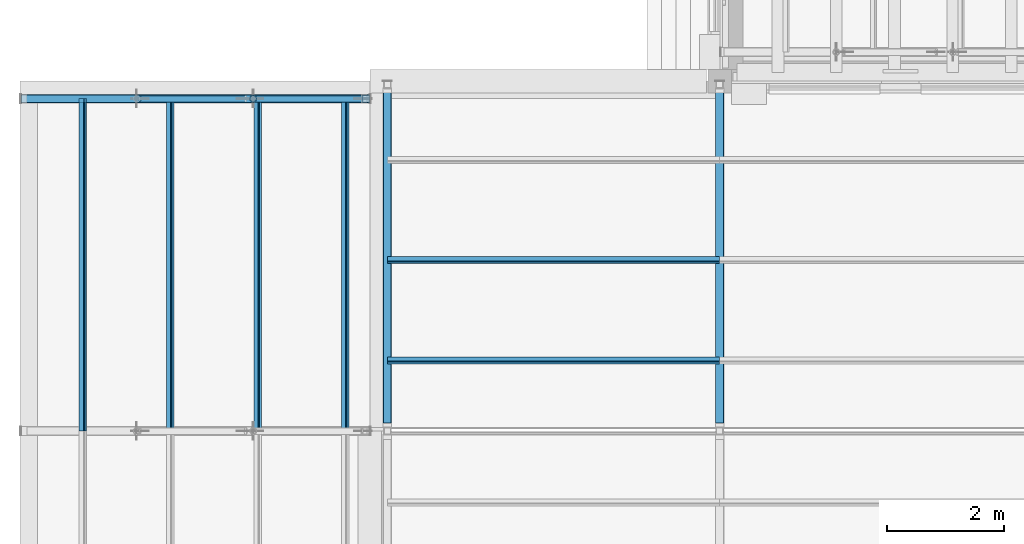
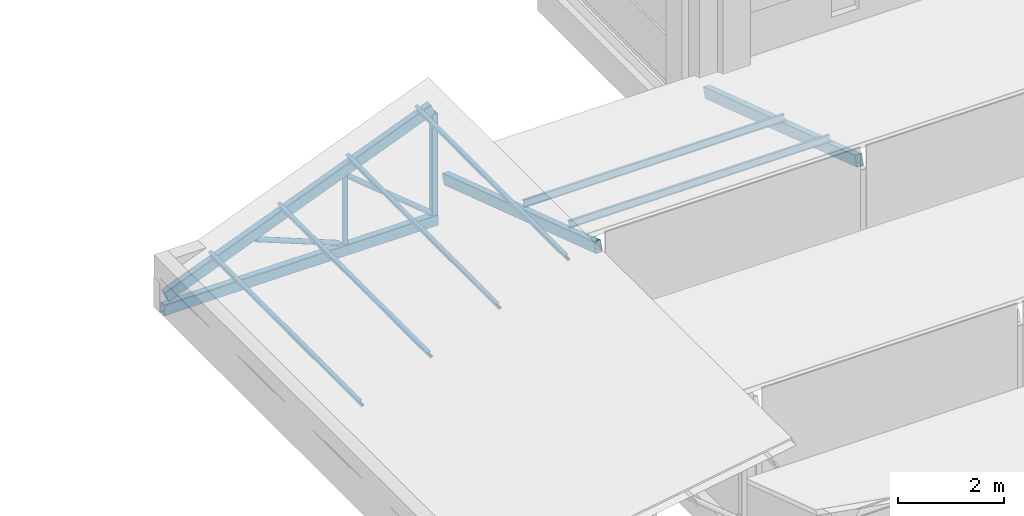
# One storey, part 12 of 118: 14 members.
"""IFC4 building model written with IfcOpenShell, lengths in metres."""

from ifc_helpers import new_model, si_unit, direction, frame, origin, origin_2d, place, context, subcontext, project, spatial, hollow_rectangle, hollow_circle, i_section, extrude, material, material_profile, profile_set, type_object, element, save


model = new_model("IFC4")

# Units and contexts
model_context = context("Model", 3, precision=1e-05, world=origin(), true_north=direction((0.0, 1.0)))
body_context = subcontext(model_context, "Body", "Model", "MODEL_VIEW")
ifc_project = project(units=[si_unit("LENGTHUNIT", "METRE"), si_unit("AREAUNIT", "SQUARE_METRE"), si_unit("VOLUMEUNIT", "CUBIC_METRE"), si_unit("PLANEANGLEUNIT", "RADIAN"), si_unit("MASSUNIT", "GRAM", prefix="KILO")], contexts=[model_context])

# Site, building, storey
site_placement = place(None, origin())
site = spatial("IfcSite", under=ifc_project, at=site_placement, CompositionType="ELEMENT")
building_placement = place(site_placement, origin())
building = spatial("IfcBuilding", under=site, at=building_placement, Name="Saffron Lane Theatres", CompositionType="ELEMENT")
storey_placement = place(building_placement, frame((0.0, 0.0, 16.5)))
storey = spatial("IfcBuildingStorey", under=building, at=storey_placement, Name="L03", CompositionType="ELEMENT", Elevation=16.5)

# Members
ifc_material_1 = material(Name="Steel Grade 350", Category="steel")
ifc_material_profile_1 = material_profile(ifc_material_1, hollow_rectangle(XDim=0.125, YDim=0.125, WallThickness=0.006103515625, InnerFilletRadius=0.0029296875, OuterFilletRadius=0.009033203125, at=origin_2d()))
ifc_profile_set_1 = profile_set([ifc_material_profile_1], Name="Steel Grade 350")
member_type_1 = type_object("IfcMemberType", Name="ST-STUDIO POST 125x125x6 SHS", PredefinedType="POST", material=ifc_profile_set_1)
member_1_placement = place(storey_placement, frame((5.9375, 29.699951171875, 0.25), z_axis=(0.0, 0.0, 1.0), x_axis=(1.0, 0.0, 0.0)))
element("IfcMember", 1, at=member_1_placement, inside=storey, type_object=member_type_1, Name="GWP38", PredefinedType="POST", context=body_context, shape_type="SweptSolid", body=[
    extrude(hollow_rectangle(XDim=0.125, YDim=0.125, WallThickness=0.006103515625, InnerFilletRadius=0.0029296875, OuterFilletRadius=0.009033203125, at=origin_2d()), origin(), (0.0, 0.0, 1.0), 2.33544921875),
])
ifc_material_2 = material(Name="Steel Grade 350", Category="steel")
ifc_material_profile_2 = material_profile(ifc_material_2, i_section(OverallWidth=0.074951171875, OverallDepth=0.155029296875, WebThickness=0.006103515625, FlangeThickness=0.009521484375, FilletRadius=0.008056640625, at=origin_2d()))
ifc_profile_set_2 = profile_set([ifc_material_profile_2], Name="Steel Grade 350")
member_type_2 = type_object("IfcMemberType", Name="ST-STUDIO PURLIN 150UB18.0", PredefinedType="PURLIN", material=ifc_profile_set_2)
for number, where, z_axis, x_axis, name in (
    (2, (6.300048828125, 25.2099609375, 2.60498046875), (1.0, 0.0, 0.0), (0.0, 0.949628648787, -0.313377455162), "GSU52"),
    (3, (6.300048828125, 26.93115234375, 2.036865234375), (1.0, 0.0, 0.0), (0.0, 0.949628648787, -0.313377455162), "GSU57"),
    (4, (1.0791015625, 24.0, 1.03125), (0.0, 1.0, 0.0), (-0.929273373147, 0.0, -0.36939274216), "GWU47"),
    (5, (2.5791015625, 24.0, 1.627685546875), (0.0, 1.0, 0.0), (-0.929273373147, 0.0, -0.36939274216), "GWU52"),
    (6, (4.0791015625, 24.0, 2.223876953125), (0.0, 1.0, 0.0), (-0.929273373147, 0.0, -0.36939274216), "GWU57"),
    (7, (5.5791015625, 24.0, 2.820068359375), (0.0, 1.0, 0.0), (-0.929273373147, 0.0, -0.36939274216), "GWU62"),
):
    element("IfcMember", number, at=place(storey_placement, frame(where, z_axis=z_axis, x_axis=x_axis)), inside=storey, type_object=member_type_2, Name=name, PredefinedType="PURLIN", context=body_context, shape_type="SweptSolid", body=[
        extrude(i_section(OverallWidth=0.074951171875, OverallDepth=0.155029296875, WebThickness=0.006103515625, FlangeThickness=0.009521484375, FilletRadius=0.008056640625, at=origin_2d()), origin(), (0.0, 0.0, 1.0), 5.699951171875),
    ])
ifc_material_3 = material(Name="Steel Grade 350", Category="steel")
ifc_material_profile_3 = material_profile(ifc_material_3, hollow_rectangle(XDim=0.14990234375, YDim=0.25, WallThickness=0.009033203125, InnerFilletRadius=0.00439453125, OuterFilletRadius=0.013427734375, at=origin_2d()))
ifc_profile_set_3 = profile_set([ifc_material_profile_3], Name="Steel Grade 350")
member_type_3 = type_object("IfcMemberType", Name="ST-STUDIO TRUSS CHORD 250x150x9 RHS", PredefinedType="CHORD", material=ifc_profile_set_3)
for number, where, z_axis, x_axis, name in (
    (8, (6.300048828125, 24.1015625, 2.757568359375), (0.0, 0.949629130372, -0.313375995807), (-1.0, 0.0, 0.0), "GSC6"),
    (9, (12.0, 24.1015625, 2.757568359375), (0.0, 0.949629130372, -0.313375995807), (-1.0, 0.0, 0.0), "GSC12"),
):
    element("IfcMember", number, at=place(storey_placement, frame(where, z_axis=z_axis, x_axis=x_axis)), inside=storey, type_object=member_type_3, Name=name, PredefinedType="CHORD", context=body_context, shape_type="SweptSolid", body=[
        extrude(hollow_rectangle(XDim=0.14990234375, YDim=0.25, WallThickness=0.009033203125, InnerFilletRadius=0.00439453125, OuterFilletRadius=0.013427734375, at=origin_2d()), origin(), (0.0, 0.0, 1.0), 6.03857421875),
    ])
member_2_placement = place(storey_placement, frame((0.02001953125, 29.699951171875, 0.125), z_axis=(1.0, 0.0, 0.0), x_axis=(0.0, 1.0, 0.0)))
element("IfcMember", 10, at=member_2_placement, inside=storey, type_object=member_type_3, Name="GWT36", PredefinedType="CHORD", context=body_context, shape_type="SweptSolid", body=[
    extrude(hollow_rectangle(XDim=0.14990234375, YDim=0.25, WallThickness=0.009033203125, InnerFilletRadius=0.00439453125, OuterFilletRadius=0.013427734375, at=origin_2d()), origin(), (0.0, 0.0, 1.0), 5.97998046875),
])
member_3_placement = place(storey_placement, frame((0.076171875, 29.699951171875, 0.414794921875), z_axis=(0.929276333654, 0.0, 0.369385294388), x_axis=(0.0, 1.0, 0.0)))
element("IfcMember", 11, at=member_3_placement, inside=storey, type_object=member_type_3, Name="GWC37", PredefinedType="CHORD", context=body_context, shape_type="SweptSolid", body=[
    extrude(hollow_rectangle(XDim=0.14990234375, YDim=0.25, WallThickness=0.009033203125, InnerFilletRadius=0.00439453125, OuterFilletRadius=0.013427734375, at=origin_2d()), origin(), (0.0, 0.0, 1.0), 6.2578125),
])
ifc_material_4 = material(Name="Steel Grade 350", Category="steel")
ifc_material_profile_4 = material_profile(ifc_material_4, hollow_circle(Radius=0.05712890625, WallThickness=0.006103515625, at=origin_2d()))
ifc_profile_set_4 = profile_set([ifc_material_profile_4], Name="Steel Grade 350")
member_type_4 = type_object("IfcMemberType", Name="ST-STUDIO TRUSS WEB 114.3x6.0 CHS", PredefinedType="BRACE", material=ifc_profile_set_4)
member_4_placement = place(storey_placement, frame((4.0, 29.699951171875, 0.25), z_axis=(0.0, 0.0, 1.0), x_axis=(1.0, 0.0, 0.0)))
element("IfcMember", 12, at=member_4_placement, inside=storey, type_object=member_type_4, Name="GWW40", PredefinedType="BRACE", context=body_context, shape_type="SweptSolid", body=[
    extrude(hollow_circle(Radius=0.05712890625, WallThickness=0.006103515625, at=origin_2d()), origin(), (0.0, 0.0, 1.0), 1.5673828125),
])
member_5_placement = place(storey_placement, frame((5.8837890625, 29.699951171875, 0.294189453125), z_axis=(-0.773024871508, 0.0, 0.634375715195), x_axis=(0.0, -1.0, 0.0)))
element("IfcMember", 13, at=member_5_placement, inside=storey, type_object=member_type_4, Name="GWW41", PredefinedType="BRACE", context=body_context, shape_type="SweptSolid", body=[
    extrude(hollow_circle(Radius=0.05712890625, WallThickness=0.006103515625, at=origin_2d()), origin(), (0.0, 0.0, 1.0), 2.4052734375),
])
member_6_placement = place(storey_placement, frame((3.866455078125, 29.699951171875, 0.30322265625), z_axis=(-0.929295525906, 0.0, 0.369337008071), x_axis=(0.0, -1.0, 0.0)))
element("IfcMember", 14, at=member_6_placement, inside=storey, type_object=member_type_4, Name="GWW42", PredefinedType="BRACE", context=body_context, shape_type="SweptSolid", body=[
    extrude(hollow_circle(Radius=0.05712890625, WallThickness=0.006103515625, at=origin_2d()), origin(), (0.0, 0.0, 1.0), 1.947998046875),
])

save(model, "model.ifc")
